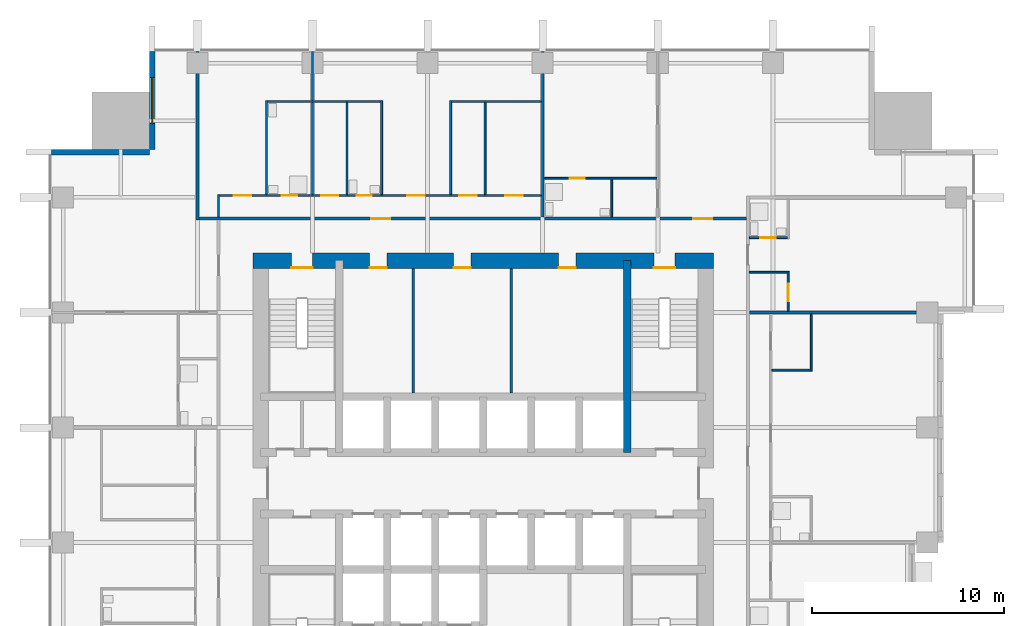
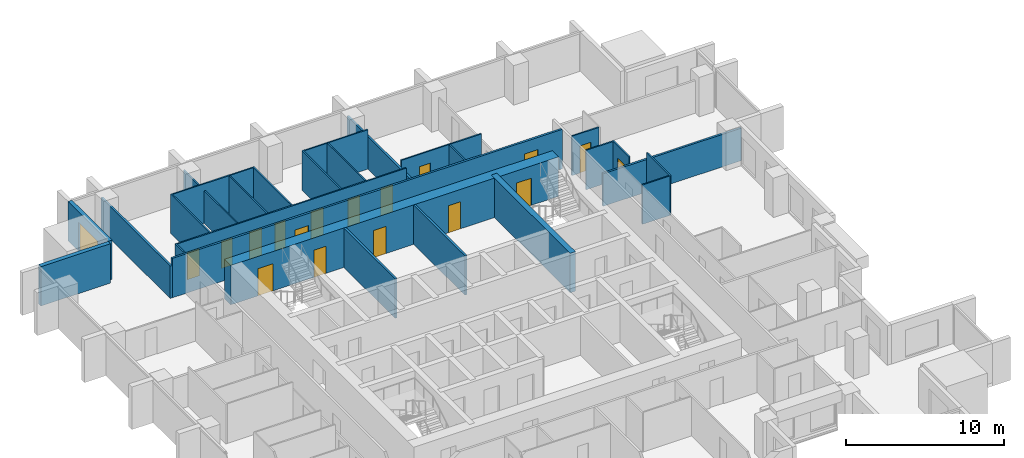
# One storey, part 7 of 10: 27 walls, 17 doors, 1 window, 18 openings.
"""IFC4 building model written with IfcOpenShell, lengths in metres."""

from ifc_helpers import new_model, si_unit, direction, frame, frame_2d, origin, place, context, subcontext, project, spatial, rectangle, extrude, material, layer, layer_set, type_object, element, fill, save


model = new_model("IFC4")

# Units and contexts
model_context = context("Model", 3, precision=1e-05, world=origin(), true_north=direction((0.0, 1.0)))
body_context = subcontext(model_context, "Body", "Model", "MODEL_VIEW")
ifc_project = project(units=[si_unit("LENGTHUNIT", "METRE"), si_unit("AREAUNIT", "SQUARE_METRE"), si_unit("VOLUMEUNIT", "CUBIC_METRE"), si_unit("PLANEANGLEUNIT", "RADIAN"), si_unit("MASSUNIT", "GRAM", prefix="KILO")], contexts=[model_context])

# Site, building, storey
site_placement = place(None, origin())
site = spatial("IfcSite", under=ifc_project, at=site_placement, CompositionType="ELEMENT")
building_placement = place(site_placement, origin())
building = spatial("IfcBuilding", under=site, at=building_placement, Name="Amberfall Residences", CompositionType="ELEMENT")
storey_placement = place(building_placement, frame((0.0, 0.0, 118.300048828125)))
storey = spatial("IfcBuildingStorey", under=building, at=storey_placement, Name="L32", CompositionType="ELEMENT", Elevation=118.300048828125)

# Wall, opening, window
ifc_material_1 = material(Name="Pale stone cladding on insulated backing", Category="masonry")
ifc_layer_1 = layer(ifc_material_1, 0.300048828125)
ifc_layer_set_1 = layer_set([ifc_layer_1], Name="Bronze clad wall 300")
wall_type_1 = type_object("IfcWallType", Name="Bronze clad wall 300", PredefinedType="SOLIDWALL", material=ifc_layer_set_1)
wall_1_placement = place(storey_placement, frame((57.25, 68.0, 0.0), z_axis=(0.0, 0.0, 1.0), x_axis=(0.0, -1.0, 0.0)))
wall_1 = element("IfcWall", 1, at=wall_1_placement, inside=storey, type_object=wall_type_1, Name="External wall L32 NW", PredefinedType="SOLIDWALL", context=body_context, shape_type="SweptSolid", body=[
    extrude(rectangle(XDim=5.10009765625, YDim=0.300048828125, at=frame_2d((2.550048828125, 0.0))), origin(), (0.0, 0.0, 1.0), 3.050048828125),
])
opening_1_placement = place(wall_1_placement, frame((1.35009765625, 0.0, 0.14990234375)))
opening_1 = element("IfcOpeningElement", 2, at=opening_1_placement, cuts=wall_1, Name="Opening WN5", PredefinedType="OPENING", context=body_context, shape_type="SweptSolid", body=[
    extrude(rectangle(XDim=2.39990234375, YDim=2.10009765625, at=frame_2d((1.199951171875, 1.050048828125))), frame((0.0, 0.159912109375, 0.0), z_axis=(0.0, -1.0, 0.0), x_axis=(1.0, 0.0, 0.0)), (0.0, 0.0, 1.0), 0.320068359375),
])
ifc_material_2 = material(Name="Bronze aluminium framed glazing", Category="aluminium")
window_type = type_object("IfcWindowType", Name="Glazed opening 2400 x 2100 bronze", PartitioningType="DOUBLE_PANEL_VERTICAL", PredefinedType="WINDOW", material=ifc_material_2)
window_placement = place(opening_1_placement, origin())
window = element("IfcWindow", 3, at=window_placement, inside=storey, type_object=window_type, Name="Window L32 NW", OverallHeight=2.10009765625, OverallWidth=2.39990234375, PartitioningType="DOUBLE_PANEL_VERTICAL", PredefinedType="WINDOW", context=body_context, shape_type="SweptSolid", body=[
    extrude(rectangle(XDim=2.39990234375, YDim=2.10009765625, at=frame_2d((1.199951171875, 1.050048828125))), frame((0.0, 0.030029296875, 0.0), z_axis=(0.0, -1.0, 0.0), x_axis=(1.0, 0.0, 0.0)), (0.0, 0.0, 1.0), 0.06005859375),
])
fill(opening_1, window)

# Walls
wall_2_placement = place(storey_placement, frame((57.10009765625, 62.75, 0.0), z_axis=(0.0, 0.0, 1.0), x_axis=(-1.0, 0.0, 0.0)))
element("IfcWall", 4, at=wall_2_placement, inside=storey, type_object=wall_type_1, Name="External wall L32 NW", PredefinedType="SOLIDWALL", context=body_context, shape_type="SweptSolid", body=[
    extrude(rectangle(XDim=5.10009765625, YDim=0.300048828125, at=frame_2d((2.550048828125, 0.0))), origin(), (0.0, 0.0, 1.0), 3.050048828125),
])
ifc_material_3 = material(Name="Concrete C70", Category="concrete")
ifc_layer_2 = layer(ifc_material_3, 0.39990234375)
ifc_layer_set_2 = layer_set([ifc_layer_2], Name="Core wall 400 C70")
wall_type_2 = type_object("IfcWallType", Name="Core wall 400 C70", PredefinedType="SHEAR", material=ifc_layer_set_2)
wall_3_placement = place(storey_placement, frame((82.0, 47.10009765625, 0.0), z_axis=(0.0, 0.0, 1.0), x_axis=(0.0, 1.0, 0.0)))
element("IfcWall", 5, at=wall_3_placement, inside=storey, type_object=wall_type_2, Name="Core wall RW4 L32 V195N", PredefinedType="SHEAR", context=body_context, shape_type="SweptSolid", body=[
    extrude(rectangle(XDim=10.0, YDim=0.39990234375, at=frame_2d((5.0, 0.0))), origin(), (0.0, 0.0, 1.0), 3.050048828125),
])

# Wall, openings, doors
ifc_layer_3 = layer(ifc_material_3, 0.800048828125)
ifc_layer_set_3 = layer_set([ifc_layer_3], Name="Core wall 800 C70")
wall_type_3 = type_object("IfcWallType", Name="Core wall 800 C70", PredefinedType="SHEAR", material=ifc_layer_set_3)
wall_4_placement = place(storey_placement, frame((62.5, 57.10009765625, 0.0), z_axis=(0.0, 0.0, 1.0), x_axis=(1.0, 0.0, 0.0)))
wall_4 = element("IfcWall", 6, at=wall_4_placement, inside=storey, type_object=wall_type_3, Name="Core wall RW3 L32 ON", PredefinedType="SHEAR", context=body_context, shape_type="SweptSolid", body=[
    extrude(rectangle(XDim=24.0, YDim=0.800048828125, at=frame_2d((12.0, 0.0))), origin(), (0.0, 0.0, 1.0), 3.050048828125),
])
opening_2_placement = place(wall_4_placement, frame((20.89990234375, 0.0, 0.0)))
opening_2 = element("IfcOpeningElement", 7, at=opening_2_placement, cuts=wall_4, Name="Opening SD1", PredefinedType="OPENING", context=body_context, shape_type="SweptSolid", body=[
    extrude(rectangle(XDim=1.10009765625, YDim=2.10009765625, at=frame_2d((0.550048828125, 1.050048828125))), frame((0.0, 0.409912109375, 0.0), z_axis=(0.0, -1.0, 0.0), x_axis=(1.0, 0.0, 0.0)), (0.0, 0.0, 1.0), 0.820068359375),
])
opening_3_placement = place(wall_4_placement, frame((2.0, 0.0, 0.0)))
opening_3 = element("IfcOpeningElement", 8, at=opening_3_placement, cuts=wall_4, Name="Opening SD1", PredefinedType="OPENING", context=body_context, shape_type="SweptSolid", body=[
    extrude(rectangle(XDim=1.10009765625, YDim=2.10009765625, at=frame_2d((0.550048828125, 1.050048828125))), frame((0.0, 0.409912109375, 0.0), z_axis=(0.0, -1.0, 0.0), x_axis=(1.0, 0.0, 0.0)), (0.0, 0.0, 1.0), 0.820068359375),
])
opening_4_placement = place(wall_4_placement, frame((6.074951171875, 0.0, 0.0)))
opening_4 = element("IfcOpeningElement", 9, at=opening_4_placement, cuts=wall_4, Name="Opening RD1", PredefinedType="OPENING", context=body_context, shape_type="SweptSolid", body=[
    extrude(rectangle(XDim=0.89990234375, YDim=2.10009765625, at=frame_2d((0.449951171875, 1.050048828125))), frame((0.0, 0.409912109375, 0.0), z_axis=(0.0, -1.0, 0.0), x_axis=(1.0, 0.0, 0.0)), (0.0, 0.0, 1.0), 0.820068359375),
])
opening_5_placement = place(wall_4_placement, frame((10.455078125, 0.0, 0.0)))
opening_5 = element("IfcOpeningElement", 10, at=opening_5_placement, cuts=wall_4, Name="Opening RD1", PredefinedType="OPENING", context=body_context, shape_type="SweptSolid", body=[
    extrude(rectangle(XDim=0.89990234375, YDim=2.10009765625, at=frame_2d((0.449951171875, 1.050048828125))), frame((0.0, 0.409912109375, 0.0), z_axis=(0.0, -1.0, 0.0), x_axis=(1.0, 0.0, 0.0)), (0.0, 0.0, 1.0), 0.820068359375),
])
opening_6_placement = place(wall_4_placement, frame((15.929931640625, 0.0, 0.0)))
opening_6 = element("IfcOpeningElement", 11, at=opening_6_placement, cuts=wall_4, Name="Opening RD1", PredefinedType="OPENING", context=body_context, shape_type="SweptSolid", body=[
    extrude(rectangle(XDim=0.89990234375, YDim=2.10009765625, at=frame_2d((0.449951171875, 1.050048828125))), frame((0.0, 0.409912109375, 0.0), z_axis=(0.0, -1.0, 0.0), x_axis=(1.0, 0.0, 0.0)), (0.0, 0.0, 1.0), 0.820068359375),
])
ifc_material_4 = material(Name="Steel fire door set", Category="steel")
door_type_1 = type_object("IfcDoorType", Name="Service room door 900 x 2100", OperationType="SINGLE_SWING_LEFT", PredefinedType="DOOR", material=ifc_material_4)
door_1_placement = place(opening_4_placement, origin())
door_1 = element("IfcDoor", 12, at=door_1_placement, inside=storey, type_object=door_type_1, Name="RD1 L32", OperationType="SINGLE_SWING_RIGHT", OverallHeight=2.10009765625, OverallWidth=0.89990234375, PredefinedType="DOOR", context=body_context, shape_type="SweptSolid", body=[
    extrude(rectangle(XDim=0.89990234375, YDim=2.10009765625, at=frame_2d((0.449951171875, 1.050048828125))), frame((0.0, -0.33740234375, 0.0), z_axis=(0.0, -1.0, 0.0), x_axis=(1.0, 0.0, 0.0)), (0.0, 0.0, 1.0), 0.050048828125),
])
fill(opening_4, door_1)
door_2_placement = place(opening_5_placement, origin())
door_2 = element("IfcDoor", 13, at=door_2_placement, inside=storey, type_object=door_type_1, Name="RD1 L32", OperationType="SINGLE_SWING_RIGHT", OverallHeight=2.10009765625, OverallWidth=0.89990234375, PredefinedType="DOOR", context=body_context, shape_type="SweptSolid", body=[
    extrude(rectangle(XDim=0.89990234375, YDim=2.10009765625, at=frame_2d((0.449951171875, 1.050048828125))), frame((0.0, -0.33740234375, 0.0), z_axis=(0.0, -1.0, 0.0), x_axis=(1.0, 0.0, 0.0)), (0.0, 0.0, 1.0), 0.050048828125),
])
fill(opening_5, door_2)
door_3_placement = place(opening_6_placement, origin())
door_3 = element("IfcDoor", 14, at=door_3_placement, inside=storey, type_object=door_type_1, Name="RD1 L32", OperationType="SINGLE_SWING_RIGHT", OverallHeight=2.10009765625, OverallWidth=0.89990234375, PredefinedType="DOOR", context=body_context, shape_type="SweptSolid", body=[
    extrude(rectangle(XDim=0.89990234375, YDim=2.10009765625, at=frame_2d((0.449951171875, 1.050048828125))), frame((0.0, -0.33740234375, 0.0), z_axis=(0.0, -1.0, 0.0), x_axis=(1.0, 0.0, 0.0)), (0.0, 0.0, 1.0), 0.050048828125),
])
fill(opening_6, door_3)
door_type_2 = type_object("IfcDoorType", Name="Stair door 1100 x 2100", OperationType="SINGLE_SWING_LEFT", PredefinedType="DOOR", material=ifc_material_4)
door_4_placement = place(opening_2_placement, origin())
door_4 = element("IfcDoor", 15, at=door_4_placement, inside=storey, type_object=door_type_2, Name="SD1 L32", OperationType="SINGLE_SWING_RIGHT", OverallHeight=2.10009765625, OverallWidth=1.10009765625, PredefinedType="DOOR", context=body_context, shape_type="SweptSolid", body=[
    extrude(rectangle(XDim=1.10009765625, YDim=2.10009765625, at=frame_2d((0.550048828125, 1.050048828125))), frame((0.0, -0.33740234375, 0.0), z_axis=(0.0, -1.0, 0.0), x_axis=(1.0, 0.0, 0.0)), (0.0, 0.0, 1.0), 0.050048828125),
])
fill(opening_2, door_4)
door_5_placement = place(opening_3_placement, origin())
door_5 = element("IfcDoor", 16, at=door_5_placement, inside=storey, type_object=door_type_2, Name="SD1 L32", OperationType="SINGLE_SWING_LEFT", OverallHeight=2.10009765625, OverallWidth=1.10009765625, PredefinedType="DOOR", context=body_context, shape_type="SweptSolid", body=[
    extrude(rectangle(XDim=1.10009765625, YDim=2.10009765625, at=frame_2d((0.550048828125, 1.050048828125))), frame((0.0, -0.33740234375, 0.0), z_axis=(0.0, -1.0, 0.0), x_axis=(1.0, 0.0, 0.0)), (0.0, 0.0, 1.0), 0.050048828125),
])
fill(opening_3, door_5)

# Walls
ifc_material_5 = material(Name="Gypsum board on metal stud")
ifc_layer_4 = layer(ifc_material_5, 0.10009765625)
ifc_layer_set_4 = layer_set([ifc_layer_4], Name="Flat partition 100")
wall_type_4 = type_object("IfcWallType", Name="Flat partition 100", PredefinedType="PARTITIONING", material=ifc_layer_set_4)
wall_5_placement = place(storey_placement, frame((60.699951171875, 59.375, 0.0), z_axis=(0.0, 0.0, 1.0), x_axis=(0.0, 1.0, 0.0)))
element("IfcWall", 17, at=wall_5_placement, inside=storey, type_object=wall_type_4, Name="Partition 005", PredefinedType="PARTITIONING", context=body_context, shape_type="SweptSolid", body=[
    extrude(rectangle(XDim=1.175048828125, YDim=0.10009765625, at=frame_2d((0.58740234375, 0.0))), origin(), (0.0, 0.0, 1.0), 3.050048828125),
])
wall_6_placement = place(storey_placement, frame((63.199951171875, 60.550048828125, 0.0), z_axis=(0.0, 0.0, 1.0), x_axis=(0.0, 1.0, 0.0)))
element("IfcWall", 18, at=wall_6_placement, inside=storey, type_object=wall_type_4, Name="Partition 006", PredefinedType="PARTITIONING", context=body_context, shape_type="SweptSolid", body=[
    extrude(rectangle(XDim=4.89990234375, YDim=0.10009765625, at=frame_2d((2.449951171875, 0.0))), origin(), (0.0, 0.0, 1.0), 3.050048828125),
])
wall_7_placement = place(storey_placement, frame((65.60009765625, 60.550048828125, 0.0), z_axis=(0.0, 0.0, 1.0), x_axis=(0.0, 1.0, 0.0)))
element("IfcWall", 19, at=wall_7_placement, inside=storey, type_object=wall_type_4, Name="Partition 007", PredefinedType="PARTITIONING", context=body_context, shape_type="SweptSolid", body=[
    extrude(rectangle(XDim=7.449951171875, YDim=0.10009765625, at=frame_2d((3.72509765625, 0.0))), origin(), (0.0, 0.0, 1.0), 2.515869140625),
])
wall_8_placement = place(storey_placement, frame((67.39990234375, 60.550048828125, 0.0), z_axis=(0.0, 0.0, 1.0), x_axis=(0.0, 1.0, 0.0)))
element("IfcWall", 20, at=wall_8_placement, inside=storey, type_object=wall_type_4, Name="Partition 008", PredefinedType="PARTITIONING", context=body_context, shape_type="SweptSolid", body=[
    extrude(rectangle(XDim=4.800048828125, YDim=0.10009765625, at=frame_2d((2.39990234375, 0.0))), origin(), (0.0, 0.0, 1.0), 3.050048828125),
])
for number, where, z_axis, x_axis, name in (
    (21, (69.199951171875, 60.550048828125, 0.0), (0.0, 0.0, 1.0), (0.0, 1.0, 0.0), "Partition 010"),
    (22, (72.800048828125, 60.550048828125, 0.0), (0.0, 0.0, 1.0), (0.0, 1.0, 0.0), "Partition 012"),
):
    element("IfcWall", number, at=place(storey_placement, frame(where, z_axis=z_axis, x_axis=x_axis)), inside=storey, type_object=wall_type_4, Name=name, PredefinedType="PARTITIONING", context=body_context, shape_type="SweptSolid", body=[
        extrude(rectangle(XDim=4.89990234375, YDim=0.10009765625, at=frame_2d((2.449951171875, 0.0))), origin(), (0.0, 0.0, 1.0), 3.050048828125),
    ])
wall_9_placement = place(storey_placement, frame((74.60009765625, 60.550048828125, 0.0), z_axis=(0.0, 0.0, 1.0), x_axis=(0.0, 1.0, 0.0)))
element("IfcWall", 23, at=wall_9_placement, inside=storey, type_object=wall_type_4, Name="Partition 013", PredefinedType="PARTITIONING", context=body_context, shape_type="SweptSolid", body=[
    extrude(rectangle(XDim=4.800048828125, YDim=0.10009765625, at=frame_2d((2.39990234375, 0.0))), origin(), (0.0, 0.0, 1.0), 3.050048828125),
])
wall_10_placement = place(storey_placement, frame((81.199951171875, 59.375, 0.0), z_axis=(0.0, 0.0, 1.0), x_axis=(0.0, 1.0, 0.0)))
element("IfcWall", 24, at=wall_10_placement, inside=storey, type_object=wall_type_4, Name="Partition 016", PredefinedType="PARTITIONING", context=body_context, shape_type="SweptSolid", body=[
    extrude(rectangle(XDim=1.97509765625, YDim=0.10009765625, at=frame_2d((0.987548828125, 0.0))), origin(), (0.0, 0.0, 1.0), 3.050048828125),
])

# Wall, opening, door
wall_11_placement = place(storey_placement, frame((90.39990234375, 54.47509765625, 0.0), z_axis=(0.0, 0.0, 1.0), x_axis=(0.0, 1.0, 0.0)))
wall_11 = element("IfcWall", 25, at=wall_11_placement, inside=storey, type_object=wall_type_4, Name="Partition 021", PredefinedType="PARTITIONING", context=body_context, shape_type="SweptSolid", body=[
    extrude(rectangle(XDim=2.074951171875, YDim=0.10009765625, at=frame_2d((1.03759765625, 0.0))), origin(), (0.0, 0.0, 1.0), 3.050048828125),
])
opening_7_placement = place(wall_11_placement, frame((0.52490234375, 0.0, 0.0)))
opening_7 = element("IfcOpeningElement", 26, at=opening_7_placement, cuts=wall_11, Name="Opening D41", PredefinedType="OPENING", context=body_context, shape_type="SweptSolid", body=[
    extrude(rectangle(XDim=0.89990234375, YDim=2.10009765625, at=frame_2d((0.449951171875, 1.050048828125))), frame((0.0, 0.06005859375, 0.0), z_axis=(0.0, -1.0, 0.0), x_axis=(1.0, 0.0, 0.0)), (0.0, 0.0, 1.0), 0.1201171875),
])
ifc_material_6 = material(Name="Timber", Category="wood")
door_type_3 = type_object("IfcDoorType", Name="Internal door 900 x 2100", OperationType="SINGLE_SWING_LEFT", PredefinedType="DOOR", material=ifc_material_6)
door_6_placement = place(opening_7_placement, origin())
door_6 = element("IfcDoor", 27, at=door_6_placement, inside=storey, type_object=door_type_3, Name="Door 3205 kitchen", OperationType="SINGLE_SWING_LEFT", OverallHeight=2.10009765625, OverallWidth=0.89990234375, PredefinedType="DOOR", context=body_context, shape_type="SweptSolid", body=[
    extrude(rectangle(XDim=0.89990234375, YDim=2.10009765625, at=frame_2d((0.449951171875, 1.050048828125))), frame((0.0, 0.02490234375, 0.0), z_axis=(0.0, -1.0, 0.0), x_axis=(1.0, 0.0, 0.0)), (0.0, 0.0, 1.0), 0.050048828125),
])
fill(opening_7, door_6)

# Walls
wall_12_placement = place(storey_placement, frame((91.60009765625, 51.35009765625, 0.0), z_axis=(0.0, 0.0, 1.0), x_axis=(0.0, 1.0, 0.0)))
element("IfcWall", 28, at=wall_12_placement, inside=storey, type_object=wall_type_4, Name="Partition 024", PredefinedType="PARTITIONING", context=body_context, shape_type="SweptSolid", body=[
    extrude(rectangle(XDim=2.974853515625, YDim=0.10009765625, at=frame_2d((1.4873046875, 0.0))), origin(), (0.0, 0.0, 1.0), 3.050048828125),
])
wall_13_placement = place(storey_placement, frame((63.25, 65.39990234375, 0.0), z_axis=(0.0, 0.0, 1.0), x_axis=(1.0, 0.0, 0.0)))
element("IfcWall", 29, at=wall_13_placement, inside=storey, type_object=wall_type_4, Name="Partition 025", PredefinedType="PARTITIONING", context=body_context, shape_type="SweptSolid", body=[
    extrude(rectangle(XDim=5.89990234375, YDim=0.10009765625, at=frame_2d((2.949951171875, 0.0))), origin(), (0.0, 0.0, 1.0), 3.050048828125),
])
wall_14_placement = place(storey_placement, frame((72.85009765625, 65.39990234375, 0.0), z_axis=(0.0, 0.0, 1.0), x_axis=(1.0, 0.0, 0.0)))
element("IfcWall", 30, at=wall_14_placement, inside=storey, type_object=wall_type_4, Name="Partition 026", PredefinedType="PARTITIONING", context=body_context, shape_type="SweptSolid", body=[
    extrude(rectangle(XDim=4.6748046875, YDim=0.10009765625, at=frame_2d((2.33740234375, 0.0))), origin(), (0.0, 0.0, 1.0), 3.050048828125),
])

# Wall, opening, door
wall_15_placement = place(storey_placement, frame((83.550048828125, 61.39990234375, 0.0), z_axis=(0.0, 0.0, 1.0), x_axis=(-1.0, 0.0, 0.0)))
wall_15 = element("IfcWall", 31, at=wall_15_placement, inside=storey, type_object=wall_type_4, Name="Partition 027", PredefinedType="PARTITIONING", context=body_context, shape_type="SweptSolid", body=[
    extrude(rectangle(XDim=5.875, YDim=0.10009765625, at=frame_2d((2.9375, 0.0))), origin(), (0.0, 0.0, 1.0), 3.050048828125),
])
opening_8_placement = place(wall_15_placement, frame((3.75, 0.0, 0.0)))
opening_8 = element("IfcOpeningElement", 32, at=opening_8_placement, cuts=wall_15, Name="Opening D42", PredefinedType="OPENING", context=body_context, shape_type="SweptSolid", body=[
    extrude(rectangle(XDim=0.800048828125, YDim=2.10009765625, at=frame_2d((0.39990234375, 1.050048828125))), frame((0.0, 0.06005859375, 0.0), z_axis=(0.0, -1.0, 0.0), x_axis=(1.0, 0.0, 0.0)), (0.0, 0.0, 1.0), 0.1201171875),
])
door_type_4 = type_object("IfcDoorType", Name="Bathroom door 800 x 2100", OperationType="SINGLE_SWING_LEFT", PredefinedType="DOOR", material=ifc_material_6)
door_7_placement = place(opening_8_placement, origin())
door_7 = element("IfcDoor", 33, at=door_7_placement, inside=storey, type_object=door_type_4, Name="Door 3207 bath1", OperationType="SINGLE_SWING_LEFT", OverallHeight=2.10009765625, OverallWidth=0.800048828125, PredefinedType="DOOR", context=body_context, shape_type="SweptSolid", body=[
    extrude(rectangle(XDim=0.800048828125, YDim=2.10009765625, at=frame_2d((0.39990234375, 1.050048828125))), frame((0.0, 0.02490234375, 0.0), z_axis=(0.0, -1.0, 0.0), x_axis=(1.0, 0.0, 0.0)), (0.0, 0.0, 1.0), 0.050048828125),
])
fill(opening_8, door_7)

# Wall, openings, doors
wall_16_placement = place(storey_placement, frame((60.75, 60.5, 0.0), z_axis=(0.0, 0.0, 1.0), x_axis=(1.0, 0.0, 0.0)))
wall_16 = element("IfcWall", 34, at=wall_16_placement, inside=storey, type_object=wall_type_4, Name="Partition 028", PredefinedType="PARTITIONING", context=body_context, shape_type="SweptSolid", body=[
    extrude(rectangle(XDim=16.77490234375, YDim=0.10009765625, at=frame_2d((8.387451171875, 0.0))), origin(), (0.0, 0.0, 1.0), 3.050048828125),
])
opening_9_placement = place(wall_16_placement, frame((9.800048828125, 0.0, 0.0)))
opening_9 = element("IfcOpeningElement", 35, at=opening_9_placement, cuts=wall_16, Name="Opening D41", PredefinedType="OPENING", context=body_context, shape_type="SweptSolid", body=[
    extrude(rectangle(XDim=0.89990234375, YDim=2.10009765625, at=frame_2d((0.449951171875, 1.050048828125))), frame((0.0, 0.06005859375, 0.0), z_axis=(0.0, -1.0, 0.0), x_axis=(1.0, 0.0, 0.0)), (0.0, 0.0, 1.0), 0.1201171875),
])
opening_10_placement = place(wall_16_placement, frame((14.89990234375, 0.0, 0.0)))
opening_10 = element("IfcOpeningElement", 36, at=opening_10_placement, cuts=wall_16, Name="Opening D41", PredefinedType="OPENING", context=body_context, shape_type="SweptSolid", body=[
    extrude(rectangle(XDim=0.89990234375, YDim=2.10009765625, at=frame_2d((0.449951171875, 1.050048828125))), frame((0.0, 0.06005859375, 0.0), z_axis=(0.0, -1.0, 0.0), x_axis=(1.0, 0.0, 0.0)), (0.0, 0.0, 1.0), 0.1201171875),
])
opening_11_placement = place(wall_16_placement, frame((12.5, 0.0, 0.0)))
opening_11 = element("IfcOpeningElement", 37, at=opening_11_placement, cuts=wall_16, Name="Opening D41", PredefinedType="OPENING", context=body_context, shape_type="SweptSolid", body=[
    extrude(rectangle(XDim=0.89990234375, YDim=2.10009765625, at=frame_2d((0.449951171875, 1.050048828125))), frame((0.0, 0.06005859375, 0.0), z_axis=(0.0, -1.0, 0.0), x_axis=(1.0, 0.0, 0.0)), (0.0, 0.0, 1.0), 0.1201171875),
])
opening_12_placement = place(wall_16_placement, frame((5.300048828125, 0.0, 0.0)))
opening_12 = element("IfcOpeningElement", 38, at=opening_12_placement, cuts=wall_16, Name="Opening D41", PredefinedType="OPENING", context=body_context, shape_type="SweptSolid", body=[
    extrude(rectangle(XDim=0.89990234375, YDim=2.10009765625, at=frame_2d((0.449951171875, 1.050048828125))), frame((0.0, 0.06005859375, 0.0), z_axis=(0.0, -1.0, 0.0), x_axis=(1.0, 0.0, 0.0)), (0.0, 0.0, 1.0), 0.1201171875),
])
opening_13_placement = place(wall_16_placement, frame((7.14990234375, 0.0, 0.0)))
opening_13 = element("IfcOpeningElement", 39, at=opening_13_placement, cuts=wall_16, Name="Opening D42", PredefinedType="OPENING", context=body_context, shape_type="SweptSolid", body=[
    extrude(rectangle(XDim=0.800048828125, YDim=2.10009765625, at=frame_2d((0.39990234375, 1.050048828125))), frame((0.0, 0.06005859375, 0.0), z_axis=(0.0, -1.0, 0.0), x_axis=(1.0, 0.0, 0.0)), (0.0, 0.0, 1.0), 0.1201171875),
])
opening_14_placement = place(wall_16_placement, frame((0.75, 0.0, 0.0)))
opening_14 = element("IfcOpeningElement", 40, at=opening_14_placement, cuts=wall_16, Name="Opening D41", PredefinedType="OPENING", context=body_context, shape_type="SweptSolid", body=[
    extrude(rectangle(XDim=0.89990234375, YDim=2.10009765625, at=frame_2d((0.449951171875, 1.050048828125))), frame((0.0, 0.06005859375, 0.0), z_axis=(0.0, -1.0, 0.0), x_axis=(1.0, 0.0, 0.0)), (0.0, 0.0, 1.0), 0.1201171875),
])
opening_15_placement = place(wall_16_placement, frame((3.25, 0.0, 0.0)))
opening_15 = element("IfcOpeningElement", 41, at=opening_15_placement, cuts=wall_16, Name="Opening D42", PredefinedType="OPENING", context=body_context, shape_type="SweptSolid", body=[
    extrude(rectangle(XDim=0.800048828125, YDim=2.10009765625, at=frame_2d((0.39990234375, 1.050048828125))), frame((0.0, 0.06005859375, 0.0), z_axis=(0.0, -1.0, 0.0), x_axis=(1.0, 0.0, 0.0)), (0.0, 0.0, 1.0), 0.1201171875),
])
door_8_placement = place(opening_13_placement, origin())
door_8 = element("IfcDoor", 42, at=door_8_placement, inside=storey, type_object=door_type_4, Name="Door 3206 wc1", OperationType="SINGLE_SWING_LEFT", OverallHeight=2.10009765625, OverallWidth=0.800048828125, PredefinedType="DOOR", context=body_context, shape_type="SweptSolid", body=[
    extrude(rectangle(XDim=0.800048828125, YDim=2.10009765625, at=frame_2d((0.39990234375, 1.050048828125))), frame((0.0, 0.02490234375, 0.0), z_axis=(0.0, -1.0, 0.0), x_axis=(1.0, 0.0, 0.0)), (0.0, 0.0, 1.0), 0.050048828125),
])
fill(opening_13, door_8)
door_9_placement = place(opening_15_placement, origin())
door_9 = element("IfcDoor", 43, at=door_9_placement, inside=storey, type_object=door_type_4, Name="Door 3206 bath1", OperationType="SINGLE_SWING_LEFT", OverallHeight=2.10009765625, OverallWidth=0.800048828125, PredefinedType="DOOR", context=body_context, shape_type="SweptSolid", body=[
    extrude(rectangle(XDim=0.800048828125, YDim=2.10009765625, at=frame_2d((0.39990234375, 1.050048828125))), frame((0.0, 0.02490234375, 0.0), z_axis=(0.0, -1.0, 0.0), x_axis=(1.0, 0.0, 0.0)), (0.0, 0.0, 1.0), 0.050048828125),
])
fill(opening_15, door_9)
door_10_placement = place(opening_9_placement, origin())
door_10 = element("IfcDoor", 44, at=door_10_placement, inside=storey, type_object=door_type_3, Name="Door 3206 living", OperationType="SINGLE_SWING_LEFT", OverallHeight=2.10009765625, OverallWidth=0.89990234375, PredefinedType="DOOR", context=body_context, shape_type="SweptSolid", body=[
    extrude(rectangle(XDim=0.89990234375, YDim=2.10009765625, at=frame_2d((0.449951171875, 1.050048828125))), frame((0.0, 0.02490234375, 0.0), z_axis=(0.0, -1.0, 0.0), x_axis=(1.0, 0.0, 0.0)), (0.0, 0.0, 1.0), 0.050048828125),
])
fill(opening_9, door_10)
door_11_placement = place(opening_10_placement, origin())
door_11 = element("IfcDoor", 45, at=door_11_placement, inside=storey, type_object=door_type_3, Name="Door 3206 kitchen", OperationType="SINGLE_SWING_LEFT", OverallHeight=2.10009765625, OverallWidth=0.89990234375, PredefinedType="DOOR", context=body_context, shape_type="SweptSolid", body=[
    extrude(rectangle(XDim=0.89990234375, YDim=2.10009765625, at=frame_2d((0.449951171875, 1.050048828125))), frame((0.0, 0.02490234375, 0.0), z_axis=(0.0, -1.0, 0.0), x_axis=(1.0, 0.0, 0.0)), (0.0, 0.0, 1.0), 0.050048828125),
])
fill(opening_10, door_11)
door_12_placement = place(opening_11_placement, origin())
door_12 = element("IfcDoor", 46, at=door_12_placement, inside=storey, type_object=door_type_3, Name="Door 3206 utility", OperationType="SINGLE_SWING_LEFT", OverallHeight=2.10009765625, OverallWidth=0.89990234375, PredefinedType="DOOR", context=body_context, shape_type="SweptSolid", body=[
    extrude(rectangle(XDim=0.89990234375, YDim=2.10009765625, at=frame_2d((0.449951171875, 1.050048828125))), frame((0.0, 0.02490234375, 0.0), z_axis=(0.0, -1.0, 0.0), x_axis=(1.0, 0.0, 0.0)), (0.0, 0.0, 1.0), 0.050048828125),
])
fill(opening_11, door_12)
door_13_placement = place(opening_12_placement, origin())
door_13 = element("IfcDoor", 47, at=door_13_placement, inside=storey, type_object=door_type_3, Name="Door 3206 store", OperationType="SINGLE_SWING_LEFT", OverallHeight=2.10009765625, OverallWidth=0.89990234375, PredefinedType="DOOR", context=body_context, shape_type="SweptSolid", body=[
    extrude(rectangle(XDim=0.89990234375, YDim=2.10009765625, at=frame_2d((0.449951171875, 1.050048828125))), frame((0.0, 0.02490234375, 0.0), z_axis=(0.0, -1.0, 0.0), x_axis=(1.0, 0.0, 0.0)), (0.0, 0.0, 1.0), 0.050048828125),
])
fill(opening_12, door_13)
door_14_placement = place(opening_14_placement, origin())
door_14 = element("IfcDoor", 48, at=door_14_placement, inside=storey, type_object=door_type_3, Name="Door 3206 bedroom1", OperationType="SINGLE_SWING_LEFT", OverallHeight=2.10009765625, OverallWidth=0.89990234375, PredefinedType="DOOR", context=body_context, shape_type="SweptSolid", body=[
    extrude(rectangle(XDim=0.89990234375, YDim=2.10009765625, at=frame_2d((0.449951171875, 1.050048828125))), frame((0.0, 0.02490234375, 0.0), z_axis=(0.0, -1.0, 0.0), x_axis=(1.0, 0.0, 0.0)), (0.0, 0.0, 1.0), 0.050048828125),
])
fill(opening_14, door_14)

# Wall, opening, door
wall_17_placement = place(storey_placement, frame((88.375, 58.300048828125, 0.0), z_axis=(0.0, 0.0, 1.0), x_axis=(1.0, 0.0, 0.0)))
wall_17 = element("IfcWall", 49, at=wall_17_placement, inside=storey, type_object=wall_type_4, Name="Partition 029", PredefinedType="PARTITIONING", context=body_context, shape_type="SweptSolid", body=[
    extrude(rectangle(XDim=1.97509765625, YDim=0.10009765625, at=frame_2d((0.987548828125, 0.0))), origin(), (0.0, 0.0, 1.0), 3.050048828125),
])
opening_16_placement = place(wall_17_placement, frame((0.574951171875, 0.0, 0.0)))
opening_16 = element("IfcOpeningElement", 50, at=opening_16_placement, cuts=wall_17, Name="Opening D42", PredefinedType="OPENING", context=body_context, shape_type="SweptSolid", body=[
    extrude(rectangle(XDim=0.800048828125, YDim=2.10009765625, at=frame_2d((0.39990234375, 1.050048828125))), frame((0.0, 0.06005859375, 0.0), z_axis=(0.0, -1.0, 0.0), x_axis=(1.0, 0.0, 0.0)), (0.0, 0.0, 1.0), 0.1201171875),
])
door_15_placement = place(opening_16_placement, origin())
door_15 = element("IfcDoor", 51, at=door_15_placement, inside=storey, type_object=door_type_4, Name="Door 3205 bath1", OperationType="SINGLE_SWING_LEFT", OverallHeight=2.10009765625, OverallWidth=0.800048828125, PredefinedType="DOOR", context=body_context, shape_type="SweptSolid", body=[
    extrude(rectangle(XDim=0.800048828125, YDim=2.10009765625, at=frame_2d((0.39990234375, 1.050048828125))), frame((0.0, 0.02490234375, 0.0), z_axis=(0.0, -1.0, 0.0), x_axis=(1.0, 0.0, 0.0)), (0.0, 0.0, 1.0), 0.050048828125),
])
fill(opening_16, door_15)

# Walls
wall_18_placement = place(storey_placement, frame((88.375, 56.5, 0.0), z_axis=(0.0, 0.0, 1.0), x_axis=(1.0, 0.0, 0.0)))
element("IfcWall", 52, at=wall_18_placement, inside=storey, type_object=wall_type_4, Name="Partition 030", PredefinedType="PARTITIONING", context=body_context, shape_type="SweptSolid", body=[
    extrude(rectangle(XDim=1.97509765625, YDim=0.10009765625, at=frame_2d((0.987548828125, 0.0))), origin(), (0.0, 0.0, 1.0), 3.050048828125),
])
wall_19_placement = place(storey_placement, frame((89.550048828125, 51.39990234375, 0.0), z_axis=(0.0, 0.0, 1.0), x_axis=(1.0, 0.0, 0.0)))
element("IfcWall", 53, at=wall_19_placement, inside=storey, type_object=wall_type_4, Name="Partition 033", PredefinedType="PARTITIONING", context=body_context, shape_type="SweptSolid", body=[
    extrude(rectangle(XDim=2.0, YDim=0.10009765625, at=frame_2d((1.0, 0.0))), origin(), (0.0, 0.0, 1.0), 3.050048828125),
])
ifc_material_7 = material(Name="Blockwork, plastered", Category="masonry")
ifc_layer_5 = layer(ifc_material_7, 0.14990234375)
ifc_layer_set_5 = layer_set([ifc_layer_5], Name="Flat separating wall 150")
wall_type_5 = type_object("IfcWallType", Name="Flat separating wall 150", PredefinedType="PARTITIONING", material=ifc_layer_set_5)
wall_20_placement = place(storey_placement, frame((59.60009765625, 59.22509765625, 0.0), z_axis=(0.0, 0.0, 1.0), x_axis=(0.0, 1.0, 0.0)))
element("IfcWall", 54, at=wall_20_placement, inside=storey, type_object=wall_type_5, Name="Separating wall 048", PredefinedType="PARTITIONING", context=body_context, shape_type="SweptSolid", body=[
    extrude(rectangle(XDim=8.77490234375, YDim=0.14990234375, at=frame_2d((4.387451171875, 0.0))), origin(), (0.0, 0.0, 1.0), 2.510009765625),
])
wall_21_placement = place(storey_placement, frame((77.60009765625, 59.375, 0.0), z_axis=(0.0, 0.0, 1.0), x_axis=(0.0, 1.0, 0.0)))
element("IfcWall", 55, at=wall_21_placement, inside=storey, type_object=wall_type_5, Name="Separating wall 051", PredefinedType="PARTITIONING", context=body_context, shape_type="SweptSolid", body=[
    extrude(rectangle(XDim=8.625, YDim=0.14990234375, at=frame_2d((4.3125, 0.0))), origin(), (0.0, 0.0, 1.0), 2.515869140625),
])

# Wall, openings, doors
wall_22_placement = place(storey_placement, frame((59.675048828125, 59.300048828125, 0.0), z_axis=(0.0, 0.0, 1.0), x_axis=(1.0, 0.0, 0.0)))
wall_22 = element("IfcWall", 56, at=wall_22_placement, inside=storey, type_object=wall_type_5, Name="Separating wall 055", PredefinedType="PARTITIONING", context=body_context, shape_type="SweptSolid", body=[
    extrude(rectangle(XDim=28.550048828125, YDim=0.14990234375, at=frame_2d((14.27490234375, 0.0))), origin(), (0.0, 0.0, 1.0), 3.050048828125),
])
opening_17_placement = place(wall_22_placement, frame((8.97509765625, 0.0, 0.0)))
opening_17 = element("IfcOpeningElement", 57, at=opening_17_placement, cuts=wall_22, Name="Opening D40", PredefinedType="OPENING", context=body_context, shape_type="SweptSolid", body=[
    extrude(rectangle(XDim=1.0, YDim=2.10009765625, at=frame_2d((0.5, 1.050048828125))), frame((0.0, 0.0849609375, 0.0), z_axis=(0.0, -1.0, 0.0), x_axis=(1.0, 0.0, 0.0)), (0.0, 0.0, 1.0), 0.169921875),
])
opening_18_placement = place(wall_22_placement, frame((25.77490234375, 0.0, 0.0)))
opening_18 = element("IfcOpeningElement", 58, at=opening_18_placement, cuts=wall_22, Name="Opening D40", PredefinedType="OPENING", context=body_context, shape_type="SweptSolid", body=[
    extrude(rectangle(XDim=1.0, YDim=2.10009765625, at=frame_2d((0.5, 1.050048828125))), frame((0.0, 0.0849609375, 0.0), z_axis=(0.0, -1.0, 0.0), x_axis=(1.0, 0.0, 0.0)), (0.0, 0.0, 1.0), 0.169921875),
])
ifc_material_8 = material(Name="Timber, fire-rated", Category="wood")
door_type_5 = type_object("IfcDoorType", Name="Flat entrance door FD60 1000 x 2100", OperationType="SINGLE_SWING_LEFT", PredefinedType="DOOR", material=ifc_material_8)
door_16_placement = place(opening_17_placement, origin())
door_16 = element("IfcDoor", 59, at=door_16_placement, inside=storey, type_object=door_type_5, Name="Door 3206 entrance", OperationType="SINGLE_SWING_LEFT", OverallHeight=2.10009765625, OverallWidth=1.0, PredefinedType="DOOR", context=body_context, shape_type="SweptSolid", body=[
    extrude(rectangle(XDim=1.0, YDim=2.10009765625, at=frame_2d((0.5, 1.050048828125))), frame((0.0, 0.02490234375, 0.0), z_axis=(0.0, -1.0, 0.0), x_axis=(1.0, 0.0, 0.0)), (0.0, 0.0, 1.0), 0.050048828125),
])
fill(opening_17, door_16)
door_17_placement = place(opening_18_placement, origin())
door_17 = element("IfcDoor", 60, at=door_17_placement, inside=storey, type_object=door_type_5, Name="Door 3207 entrance", OperationType="SINGLE_SWING_LEFT", OverallHeight=2.10009765625, OverallWidth=1.0, PredefinedType="DOOR", context=body_context, shape_type="SweptSolid", body=[
    extrude(rectangle(XDim=1.0, YDim=2.10009765625, at=frame_2d((0.5, 1.050048828125))), frame((0.0, 0.02490234375, 0.0), z_axis=(0.0, -1.0, 0.0), x_axis=(1.0, 0.0, 0.0)), (0.0, 0.0, 1.0), 0.050048828125),
])
fill(opening_18, door_17)

# Walls
wall_23_placement = place(storey_placement, frame((88.375, 54.39990234375, 0.0), z_axis=(0.0, 0.0, 1.0), x_axis=(1.0, 0.0, 0.0)))
element("IfcWall", 61, at=wall_23_placement, inside=storey, type_object=wall_type_5, Name="Separating wall 056", PredefinedType="PARTITIONING", context=body_context, shape_type="SweptSolid", body=[
    extrude(rectangle(XDim=10.125, YDim=0.14990234375, at=frame_2d((5.0625, 0.0))), origin(), (0.0, 0.0, 1.0), 2.515869140625),
])
ifc_material_9 = material(Name="Concrete blockwork", Category="masonry")
ifc_layer_6 = layer(ifc_material_9, 0.14990234375)
ifc_layer_set_6 = layer_set([ifc_layer_6], Name="Riser wall 150")
wall_type_6 = type_object("IfcWallType", Name="Riser wall 150", PredefinedType="PLUMBINGWALL", material=ifc_layer_set_6)
for number, where, z_axis, x_axis, name in (
    (62, (70.85009765625, 50.199951171875, 0.0), (0.0, 0.0, 1.0), (0.0, 1.0, 0.0), "L32 core wall N0"),
    (63, (75.9599609375, 50.199951171875, 0.0), (0.0, 0.0, 1.0), (0.0, 1.0, 0.0), "L32 core wall N1"),
):
    element("IfcWall", number, at=place(storey_placement, frame(where, z_axis=z_axis, x_axis=x_axis)), inside=storey, type_object=wall_type_6, Name=name, PredefinedType="PLUMBINGWALL", context=body_context, shape_type="SweptSolid", body=[
        extrude(rectangle(XDim=6.5, YDim=0.14990234375, at=frame_2d((3.25, 0.0))), origin(), (0.0, 0.0, 1.0), 3.050048828125),
    ])

save(model, "model.ifc")
